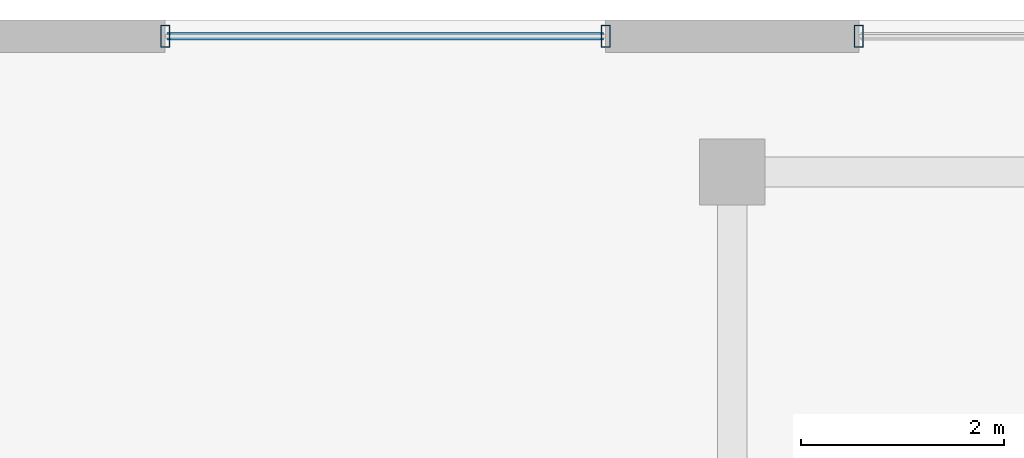
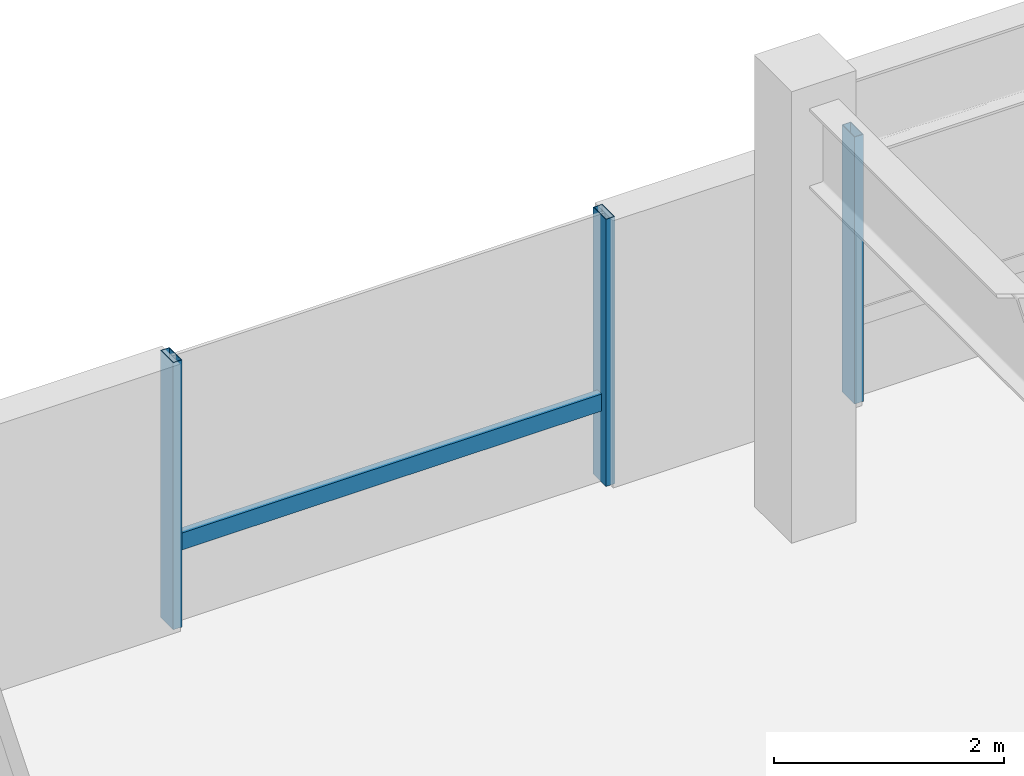
# One storey, part 5 of 25: 4 members, 2 elements without a shape of their own.
"""IFC4 building model written with IfcOpenShell, lengths in metres."""

from ifc_helpers import new_model, si_unit, direction, frame, origin, origin_2d, place, context, subcontext, project, spatial, hollow_rectangle, extrude, material, material_profile, profile_set, type_object, element, aggregate, save


model = new_model("IFC4")

# Units and contexts
model_context = context("Model", 3, precision=1e-05, world=origin(), true_north=direction((0.0, 1.0)))
body_context = subcontext(model_context, "Body", "Model", "MODEL_VIEW")
ifc_project = project(units=[si_unit("LENGTHUNIT", "METRE"), si_unit("AREAUNIT", "SQUARE_METRE"), si_unit("VOLUMEUNIT", "CUBIC_METRE"), si_unit("PLANEANGLEUNIT", "RADIAN"), si_unit("MASSUNIT", "GRAM", prefix="KILO")], contexts=[model_context])

# Site, building, storey
site_placement = place(None, origin())
site = spatial("IfcSite", under=ifc_project, at=site_placement, CompositionType="ELEMENT")
building_placement = place(site_placement, origin())
building = spatial("IfcBuilding", under=site, at=building_placement, Name="Thornwick Lancets Civic Towers", CompositionType="ELEMENT")
storey_placement = place(building_placement, frame((0.0, 0.0, 23.10009765625)))
storey = spatial("IfcBuildingStorey", under=building, at=storey_placement, Name="L05", CompositionType="ELEMENT", Elevation=23.10009765625)

# Curtain wall, member
ifc_material_1 = material(Name="Terracotta-trimmed cascading podium ribbon curtain wall", Category="masonry")
curtain_wall_type = type_object("IfcCurtainWallType", Name="CW_SYS_02", PredefinedType="NOTDEFINED", material=ifc_material_1)
curtain_wall_1_placement = place(storey_placement, origin())
curtain_wall_1 = element("IfcCurtainWall", 1, at=curtain_wall_1_placement, inside=storey, type_object=curtain_wall_type, Name="L05 Curtain Wall CW-L05-POD-NC-S3", PredefinedType="NOTDEFINED")
ifc_material_2 = material(Name="Thermally broken bronze aluminium S355", Category="steel")
ifc_material_profile_1 = material_profile(ifc_material_2, hollow_rectangle(XDim=0.090087890625, YDim=0.219970703125, WallThickness=0.00634765625, at=origin_2d()), Name="RHS 220x90x6.3")
ifc_profile_set_1 = profile_set([ifc_material_profile_1], Name="Thermally broken bronze aluminium S355")
member_type_1 = type_object("IfcMemberType", Name="CW_MUL_220", PredefinedType="MULLION", material=ifc_profile_set_1)
member_1_placement = place(storey_placement, frame((49.25, 49.340087890625, 0.0), z_axis=(0.0, 0.0, 1.0), x_axis=(1.0, 0.0, 0.0)))
member_1 = element("IfcMember", 2, at=member_1_placement, type_object=member_type_1, Name="CW-L05-POD-NC-S3 Mullion 1", PredefinedType="MULLION", context=body_context, shape_type="SweptSolid", body=[
    extrude(hollow_rectangle(XDim=0.090087890625, YDim=0.219970703125, WallThickness=0.00634765625, at=origin_2d()), origin(), (0.0, 0.0, 1.0), 2.83984375),
])
aggregate(curtain_wall_1, [member_1])

# Curtain wall, members
curtain_wall_2_placement = place(storey_placement, origin())
curtain_wall_2 = element("IfcCurtainWall", 3, at=curtain_wall_2_placement, inside=storey, type_object=curtain_wall_type, Name="L05 Curtain Wall CW-L05-POD-NC-S4", PredefinedType="NOTDEFINED")
member_2_placement = place(storey_placement, frame((46.75, 49.340087890625, 0.0), z_axis=(0.0, 0.0, 1.0), x_axis=(1.0, 0.0, 0.0)))
member_2 = element("IfcMember", 4, at=member_2_placement, type_object=member_type_1, Name="CW-L05-POD-NC-S4 Mullion 0", PredefinedType="MULLION", context=body_context, shape_type="SweptSolid", body=[
    extrude(hollow_rectangle(XDim=0.090087890625, YDim=0.219970703125, WallThickness=0.00634765625, at=origin_2d()), origin(), (0.0, 0.0, 1.0), 2.83984375),
])
member_3_placement = place(storey_placement, frame((42.39990234375, 49.340087890625, 0.0), z_axis=(0.0, 0.0, 1.0), x_axis=(1.0, 0.0, 0.0)))
member_3 = element("IfcMember", 5, at=member_3_placement, type_object=member_type_1, Name="CW-L05-POD-NC-S4 Mullion 1", PredefinedType="MULLION", context=body_context, shape_type="SweptSolid", body=[
    extrude(hollow_rectangle(XDim=0.090087890625, YDim=0.219970703125, WallThickness=0.00634765625, at=origin_2d()), origin(), (0.0, 0.0, 1.0), 2.83984375),
])
ifc_material_profile_2 = material_profile(ifc_material_2, hollow_rectangle(XDim=0.074951171875, YDim=0.179931640625, WallThickness=0.006103515625, at=origin_2d()), Name="RHS 180x75x6")
ifc_profile_set_2 = profile_set([ifc_material_profile_2], Name="Thermally broken bronze aluminium S355")
member_type_2 = type_object("IfcMemberType", Name="CW_TRN_180", PredefinedType="USERDEFINED", material=ifc_profile_set_2)
member_4_placement = place(storey_placement, frame((46.72998046875, 49.340087890625, 0.849853515625), z_axis=(-1.0, 0.0, 0.0), x_axis=(0.0, -1.0, 0.0)))
member_4 = element("IfcMember", 6, at=member_4_placement, type_object=member_type_2, Name="CW-L05-POD-NC-S4 Transom 0", ObjectType="TRANSOM", PredefinedType="USERDEFINED", context=body_context, shape_type="SweptSolid", body=[
    extrude(hollow_rectangle(XDim=0.074951171875, YDim=0.179931640625, WallThickness=0.006103515625, at=origin_2d()), origin(), (0.0, 0.0, 1.0), 4.31005859375),
])
aggregate(curtain_wall_2, [member_2, member_3, member_4])

save(model, "model.ifc")
